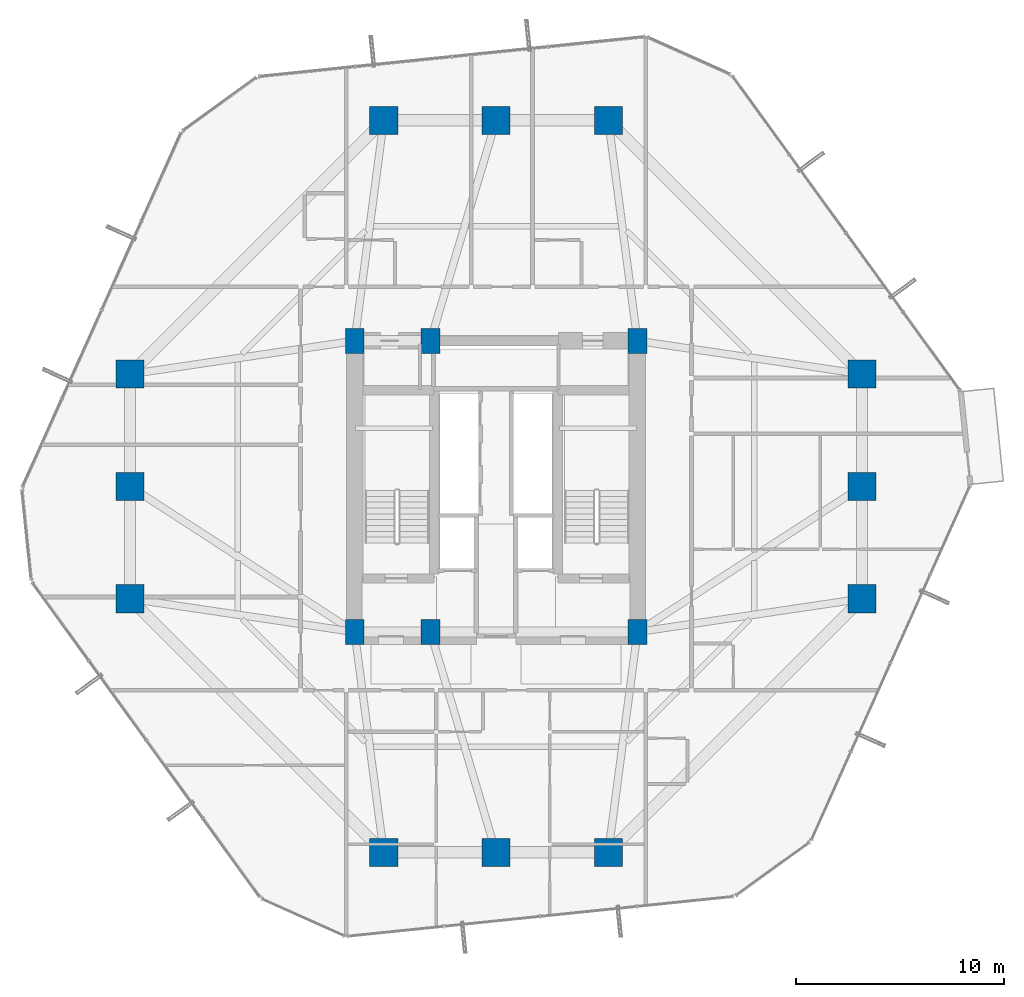
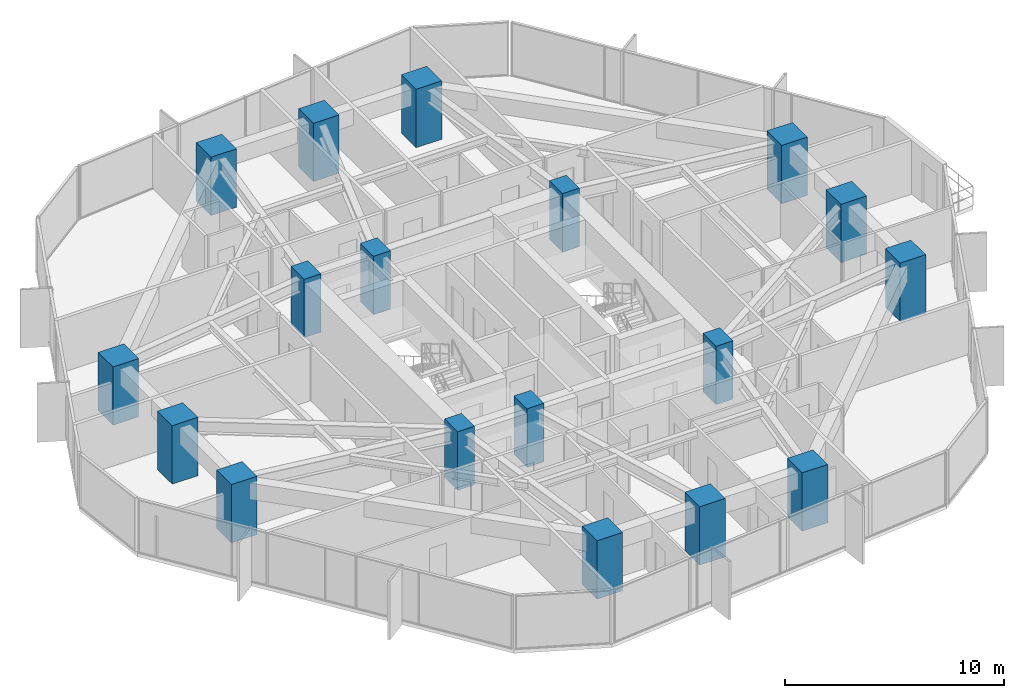
# One storey, part 1 of 37: 18 columns.
"""IFC4 building model written with IfcOpenShell, lengths in metres."""

import ifcopenshell
import ifcopenshell.guid

model = None  # the IFC model being written
_history = None  # IfcOwnerHistory: only IFC2X3 demands one
_inside = {}  # id of a spatial element -> (the spatial element, [elements in it])
_under = {}  # id of a project, library or spatial element -> (it, [spatial elements below it])
_declared = {}  # id of a project -> (the project, [libraries it declares])
_typed = {}  # id of a type object -> (the type object, [elements of that type])
_made_of = {}  # id of a material, layer set ... -> (it, [elements and type objects made of it])


def new_model(schema):
    """Start an empty IFC model of exactly this schema.

    Asked for "IFC4X3", IfcOpenShell would pick the latest addendum, in which some entities
    have other attributes; the version numbers below select the first issue.
    IFC2X3 requires an IfcOwnerHistory on every rooted entity: one is made here for all.
    """
    global model, _history
    if schema == "IFC4X3":
        model = ifcopenshell.file(schema_version=(4, 3, 0, 0))
    else:
        model = ifcopenshell.file(schema=schema)
    _inside.clear()
    _under.clear()
    _declared.clear()
    _typed.clear()
    _made_of.clear()
    _history = None
    if model.schema == "IFC2X3":
        org = make("IfcOrganization", Name="unknown")
        user = make(
            "IfcPersonAndOrganization",
            ThePerson=make("IfcPerson", FamilyName="unknown"),
            TheOrganization=org,
        )
        app = make(
            "IfcApplication",
            ApplicationDeveloper=org,
            Version="unknown",
            ApplicationFullName="unknown",
            ApplicationIdentifier="unknown",
        )
        _history = make(
            "IfcOwnerHistory",
            OwningUser=user,
            OwningApplication=app,
            ChangeAction="ADDED",
            CreationDate=0,
        )
    return model


def make(cls, **values):
    """One entity of the class cls with the attributes given. An attribute that is None is left unset."""
    return model.create_entity(
        cls, **{name: value for name, value in values.items() if value is not None}
    )


def rooted(cls, **values):
    """An entity with a GlobalId (a new one), such as an element, a storey or a relation."""
    return make(cls, GlobalId=ifcopenshell.guid.new(), OwnerHistory=_history, **values)


def si_unit(unit_type, name, prefix=None):
    """IfcSIUnit, for example si_unit("LENGTHUNIT", "METRE", prefix="MILLI")."""
    return make("IfcSIUnit", UnitType=unit_type, Prefix=prefix, Name=name)


def assignment(units):
    """IfcUnitAssignment: the units of a project."""
    return None if units is None else make("IfcUnitAssignment", Units=units)


def point(xyz):
    """IfcCartesianPoint."""
    return None if xyz is None else make("IfcCartesianPoint", Coordinates=xyz)


def direction(xyz):
    """IfcDirection."""
    return None if xyz is None else make("IfcDirection", DirectionRatios=xyz)


def frame(location, z_axis=None, x_axis=None):
    """IfcAxis2Placement3D, a coordinate frame: its origin and axes. An axis left out is left unset."""
    return make(
        "IfcAxis2Placement3D",
        Location=point(location),
        Axis=direction(z_axis),
        RefDirection=direction(x_axis),
    )


def frame_2d(location, x_axis=None):
    """IfcAxis2Placement2D, a coordinate frame in the plane: its origin and x axis."""
    return make(
        "IfcAxis2Placement2D", Location=point(location), RefDirection=direction(x_axis)
    )


def origin():
    """The frame at (0, 0, 0) with its axes left unset."""
    return frame((0.0, 0.0, 0.0))


def origin_2d():
    """The frame at (0, 0) in the plane with its x axis left unset."""
    return frame_2d((0.0, 0.0))


def place(relative_to, where):
    """IfcLocalPlacement: puts the frame where relative to a parent placement (None: the world)."""
    return make(
        "IfcLocalPlacement", PlacementRelTo=relative_to, RelativePlacement=where
    )


def context(
    kind, dimensions, precision=None, world=None, true_north=None, identifier=None
):
    """IfcGeometricRepresentationContext, for example the 3D "Model" context."""
    return make(
        "IfcGeometricRepresentationContext",
        ContextIdentifier=identifier,
        ContextType=kind,
        CoordinateSpaceDimension=dimensions,
        Precision=precision,
        WorldCoordinateSystem=world,
        TrueNorth=true_north,
    )


def subcontext(parent, identifier, kind, view, scale=None):
    """IfcGeometricRepresentationSubContext, for example "Body" below "Model"."""
    return make(
        "IfcGeometricRepresentationSubContext",
        ContextIdentifier=identifier,
        ContextType=kind,
        ParentContext=parent,
        TargetScale=scale,
        TargetView=view,
    )


def project(units=None, contexts=None):
    """IfcProject with its units and contexts."""
    return rooted(
        "IfcProject",
        Name="project",
        RepresentationContexts=contexts,
        UnitsInContext=assignment(units),
    )


def spatial(cls, under=None, at=None, **own):
    """A site, building, storey or space (cls), placed at a placement, below another one or the project."""
    s = rooted(cls, ObjectPlacement=at, **own)
    if under is not None:
        _under.setdefault(under.id(), (under, []))[1].append(s)
    return s


def profile(cls, at=None, kind="AREA", **sizes):
    """A parametric profile (cls). Its sizes go by their IFC names, for example OverallWidth=200.0."""
    return make(cls, ProfileType=kind, Position=at, **sizes)


def rectangle(**sizes):
    """IfcRectangleProfileDef."""
    return profile("IfcRectangleProfileDef", **sizes)


def extrude(swept, where, along, depth):
    """IfcExtrudedAreaSolid: the profile swept, set in the frame where, extruded along a direction by depth."""
    return make(
        "IfcExtrudedAreaSolid",
        SweptArea=swept,
        Position=where,
        ExtrudedDirection=direction(along),
        Depth=depth,
    )


def shape(context_of_items, identifier, shape_type, items):
    """IfcShapeRepresentation: the items that make up one representation, for example the "Body"."""
    return make(
        "IfcShapeRepresentation",
        ContextOfItems=context_of_items,
        RepresentationIdentifier=identifier,
        RepresentationType=shape_type,
        Items=items,
    )


def material(Name=None, Category=None):
    """IfcMaterial."""
    return make("IfcMaterial", Name=Name, Category=Category)


def material_profile(
    of_material, cross_section, Name=None, Category=None, Priority=None
):
    """IfcMaterialProfile: a cross section and its material."""
    return make(
        "IfcMaterialProfile",
        Name=Name,
        Material=of_material,
        Profile=cross_section,
        Priority=Priority,
        Category=Category,
    )


def profile_set(profiles, Name=None, composite=None):
    """IfcMaterialProfileSet."""
    return make(
        "IfcMaterialProfileSet",
        Name=Name,
        MaterialProfiles=profiles,
        CompositeProfile=composite,
    )


def made_of(thing, what):
    """Note that an element or type object is made of a material, layer set ...; save() writes the relation."""
    if what is not None:
        _made_of.setdefault(what.id(), (what, []))[1].append(thing)
    return thing


def type_object(cls, material=None, **own):
    """A type object (cls), such as IfcWallType, which elements share."""
    return made_of(rooted(cls, **own), material)


def element(
    cls,
    number,
    at=None,
    inside=None,
    cuts=None,
    type_object=None,
    material=None,
    context=None,
    identifier="Body",
    shape_type=None,
    held_by="IfcProductDefinitionShape",
    body=None,
    shapes=None,
    **own,
):
    """One element of the class cls, such as IfcWall. Its Tag is "e" and its number.

    at: its placement. inside: the storey or other place that contains it. cuts: it is an
    opening in that element (IfcRelVoidsElement). A single representation is given by context,
    identifier, shape_type and body (its items); several are given by shapes. held_by: the class
    of the entity that holds the representations. save() writes the other relations.
    """
    e = rooted(cls, Tag="e%d" % number, ObjectPlacement=at, **own)
    if body is not None:
        shapes = [shape(context, identifier, shape_type, body)]
    if shapes is not None:
        e.Representation = make(held_by, Representations=shapes)
    if inside is not None:
        _inside.setdefault(inside.id(), (inside, []))[1].append(e)
    if cuts is not None:
        rooted(
            "IfcRelVoidsElement", RelatingBuildingElement=cuts, RelatedOpeningElement=e
        )
    if type_object is not None:
        _typed.setdefault(type_object.id(), (type_object, []))[1].append(e)
    return made_of(e, material)


def aggregate(whole, parts):
    """IfcRelAggregates: a whole, such as a stair, and the parts it consists of."""
    return rooted("IfcRelAggregates", RelatingObject=whole, RelatedObjects=parts)


def save(model, path):
    """Write the relations noted so far, then the file.

    IfcRelAggregates (storeys below a building ...), IfcRelContainedInSpatialStructure (elements
    in a storey), IfcRelDefinesByType, IfcRelAssociatesMaterial and IfcRelDeclares: one each for
    every whole, place, type object, material and project.
    """
    for whole, parts in _under.values():
        aggregate(whole, parts)
    for where, things in _inside.values():
        rooted(
            "IfcRelContainedInSpatialStructure",
            RelatedElements=things,
            RelatingStructure=where,
        )
    for kind, things in _typed.values():
        rooted("IfcRelDefinesByType", RelatedObjects=things, RelatingType=kind)
    for what, things in _made_of.values():
        rooted("IfcRelAssociatesMaterial", RelatedObjects=things, RelatingMaterial=what)
    for by, libraries in _declared.values():
        rooted("IfcRelDeclares", RelatingContext=by, RelatedDefinitions=libraries)
    model.write(path)


model = new_model("IFC4")

# Units and contexts
model_context = context("Model", 3, precision=1e-05, world=origin(), true_north=direction((0.0, 1.0)))
body_context = subcontext(model_context, "Body", "Model", "MODEL_VIEW")
ifc_project = project(units=[si_unit("LENGTHUNIT", "METRE"), si_unit("AREAUNIT", "SQUARE_METRE"), si_unit("VOLUMEUNIT", "CUBIC_METRE"), si_unit("PLANEANGLEUNIT", "RADIAN"), si_unit("MASSUNIT", "GRAM", prefix="KILO")], contexts=[model_context])

# Site, building, storey
site_placement = place(None, origin())
site = spatial("IfcSite", under=ifc_project, at=site_placement, CompositionType="ELEMENT")
building_placement = place(site_placement, origin())
building = spatial("IfcBuilding", under=site, at=building_placement, Name="Veraguas Prism Commons", CompositionType="ELEMENT")
storey_placement = place(building_placement, frame((0.0, 0.0, 43.550048828125)))
storey = spatial("IfcBuildingStorey", under=building, at=storey_placement, Name="L11", CompositionType="ELEMENT", Elevation=43.550048828125)

# Columns
ifc_material = material(Name="Concrete C60/75", Category="concrete")
ifc_material_profile_1 = material_profile(ifc_material, rectangle(XDim=1.35009765625, YDim=1.35009765625, at=origin_2d()), Name="RC1350X1350")
ifc_profile_set_1 = profile_set([ifc_material_profile_1], Name="Concrete C60/75")
column_type_1 = type_object("IfcColumnType", Name="Column Tube Z1 RC 1350x1350", PredefinedType="COLUMN", material=ifc_profile_set_1)
for number, where, z_axis, x_axis, name in (
    (1, (41.60009765625, 18.60009765625, 0.0), (0.0, 0.0, 1.0), (1.0, 0.0, 0.0), "Tower Perimeter Column L11-TB01"),
    (2, (41.60009765625, 24.0, 0.0), (0.0, 0.0, 1.0), (1.0, 0.0, 0.0), "Tower Perimeter Column L11-TB02"),
    (3, (41.60009765625, 29.39990234375, 0.0), (0.0, 0.0, 1.0), (1.0, 0.0, 0.0), "Tower Perimeter Column L11-TB03"),
    (4, (29.39990234375, 41.60009765625, 0.0), (0.0, 0.0, 1.0), (1.0, 0.0, 0.0), "Tower Perimeter Column L11-TB04"),
    (5, (24.0, 41.60009765625, 0.0), (0.0, 0.0, 1.0), (1.0, 0.0, 0.0), "Tower Perimeter Column L11-TB05"),
    (6, (18.60009765625, 41.60009765625, 0.0), (0.0, 0.0, 1.0), (1.0, 0.0, 0.0), "Tower Perimeter Column L11-TB06"),
    (7, (6.39990234375, 29.39990234375, 0.0), (0.0, 0.0, 1.0), (1.0, 0.0, 0.0), "Tower Perimeter Column L11-TB07"),
    (8, (6.39990234375, 24.0, 0.0), (0.0, 0.0, 1.0), (1.0, 0.0, 0.0), "Tower Perimeter Column L11-TB08"),
    (9, (6.39990234375, 18.60009765625, 0.0), (0.0, 0.0, 1.0), (1.0, 0.0, 0.0), "Tower Perimeter Column L11-TB09"),
    (10, (18.60009765625, 6.39990234375, 0.0), (0.0, 0.0, 1.0), (1.0, 0.0, 0.0), "Tower Perimeter Column L11-TB10"),
    (11, (24.0, 6.39990234375, 0.0), (0.0, 0.0, 1.0), (1.0, 0.0, 0.0), "Tower Perimeter Column L11-TB11"),
    (12, (29.39990234375, 6.39990234375, 0.0), (0.0, 0.0, 1.0), (1.0, 0.0, 0.0), "Tower Perimeter Column L11-TB12"),
):
    element("IfcColumn", number, at=place(storey_placement, frame(where, z_axis=z_axis, x_axis=x_axis)), inside=storey, type_object=column_type_1, Name=name, PredefinedType="COLUMN", context=body_context, shape_type="SweptSolid", body=[
        extrude(rectangle(XDim=1.35009765625, YDim=1.35009765625, at=origin_2d()), origin(), (0.0, 0.0, 1.0), 3.25),
    ])
ifc_material_profile_2 = material_profile(ifc_material, rectangle(XDim=0.89990234375, YDim=1.199951171875, at=origin_2d()), Name="RC900X1200")
ifc_profile_set_2 = profile_set([ifc_material_profile_2], Name="Concrete C60/75")
column_type_2 = type_object("IfcColumnType", Name="Pilaster Core Lower RC 900x1200", PredefinedType="PILASTER", material=ifc_profile_set_2)
for number, where, z_axis, x_axis, name in (
    (13, (17.199951171875, 17.0, 0.0), (0.0, 0.0, 1.0), (1.0, 0.0, 0.0), "Core Pilaster Column L11-CR1"),
    (14, (20.85009765625, 17.0, 0.0), (0.0, 0.0, 1.0), (1.0, 0.0, 0.0), "Core Pilaster Column L11-CR2"),
    (15, (30.800048828125, 17.0, 0.0), (0.0, 0.0, 1.0), (1.0, 0.0, 0.0), "Core Pilaster Column L11-CR3"),
    (16, (17.199951171875, 31.0, 0.0), (0.0, 0.0, 1.0), (1.0, 0.0, 0.0), "Core Pilaster Column L11-CR4"),
    (17, (20.85009765625, 31.0, 0.0), (0.0, 0.0, 1.0), (1.0, 0.0, 0.0), "Core Pilaster Column L11-CR5"),
    (18, (30.800048828125, 31.0, 0.0), (0.0, 0.0, 1.0), (1.0, 0.0, 0.0), "Core Pilaster Column L11-CR6"),
):
    element("IfcColumn", number, at=place(storey_placement, frame(where, z_axis=z_axis, x_axis=x_axis)), inside=storey, type_object=column_type_2, Name=name, PredefinedType="PILASTER", context=body_context, shape_type="SweptSolid", body=[
        extrude(rectangle(XDim=0.89990234375, YDim=1.199951171875, at=origin_2d()), origin(), (0.0, 0.0, 1.0), 3.25),
    ])

save(model, "model.ifc")
